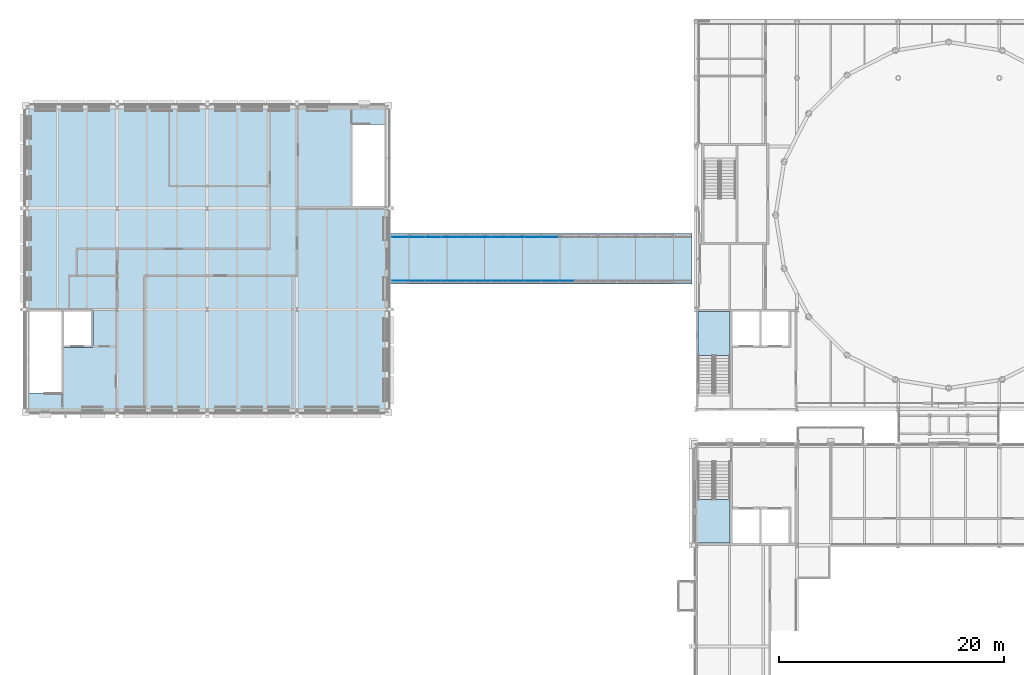
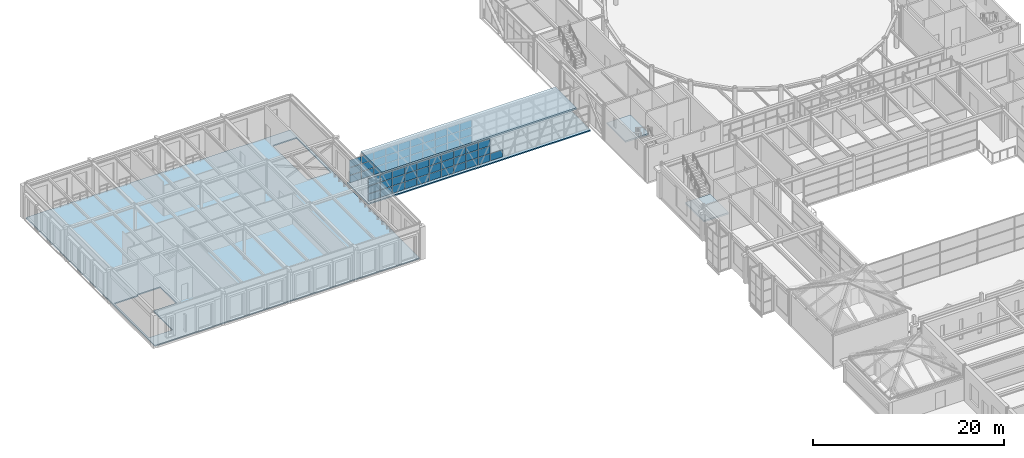
# One storey, part 79 of 149: 61 plates, 5 slabs, 4 elements without a shape of their own.
"""IFC4 building model written with IfcOpenShell, lengths in metres."""

from ifc_helpers import new_model, si_unit, direction, frame, origin, origin_2d, place, context, subcontext, project, spatial, polyline, rectangle, outline, extrude, material, layer, layer_set, type_object, element, aggregate, save


model = new_model("IFC4")

# Units and contexts
model_context = context("Model", 3, precision=1e-05, world=origin(), true_north=direction((0.0, 1.0)))
body_context = subcontext(model_context, "Body", "Model", "MODEL_VIEW")
ifc_project = project(units=[si_unit("LENGTHUNIT", "METRE"), si_unit("AREAUNIT", "SQUARE_METRE"), si_unit("VOLUMEUNIT", "CUBIC_METRE"), si_unit("PLANEANGLEUNIT", "RADIAN"), si_unit("MASSUNIT", "GRAM", prefix="KILO")], contexts=[model_context])

# Site, building, storey
site_placement = place(None, origin())
site = spatial("IfcSite", under=ifc_project, at=site_placement, CompositionType="ELEMENT")
building_placement = place(site_placement, origin())
building = spatial("IfcBuilding", under=site, at=building_placement, Name="Kallimachos Central Library", CompositionType="ELEMENT")
storey_placement = place(building_placement, frame((0.0, 0.0, 9.89990234375)))
storey = spatial("IfcBuildingStorey", under=building, at=storey_placement, Name="L02", CompositionType="ELEMENT", Elevation=9.89990234375)

# Slabs
ifc_material_1 = material(Name="Composite slab C30/37 on steel deck", Category="concrete")
ifc_layer_1 = layer(ifc_material_1, 0.14990234375)
ifc_layer_set_1 = layer_set([ifc_layer_1], Name="Bridge deck slab 150")
slab_type_1 = type_object("IfcSlabType", Name="Bridge deck slab 150", PredefinedType="FLOOR", material=ifc_layer_set_1)
slab_1_placement = place(storey_placement, frame((0.0, 0.0, -0.14990234375)))
element("IfcSlab", 1, at=slab_1_placement, inside=storey, type_object=slab_type_1, Name="B-W deck", PredefinedType="FLOOR", context=body_context, shape_type="SweptSolid", body=[
    extrude(outline(polyline([(38.300048828125, 98.25), (65.175048828125, 98.25), (65.175048828125, 102.75), (38.300048828125, 102.75), (38.300048828125, 98.25)])), origin(), (0.0, 0.0, 1.0), 0.14990234375),
])
ifc_material_2 = material(Name="Composite slab C30/37 on steel deck", Category="concrete")
ifc_layer_2 = layer(ifc_material_2, 0.199951171875)
ifc_layer_set_2 = layer_set([ifc_layer_2], Name="Bridge roof slab 200")
slab_type_2 = type_object("IfcSlabType", Name="Bridge roof slab 200", PredefinedType="ROOF", material=ifc_layer_set_2)
slab_2_placement = place(storey_placement, frame((0.0, 0.0, 3.2001953125)))
element("IfcSlab", 2, at=slab_2_placement, inside=storey, type_object=slab_type_2, Name="B-W roof", PredefinedType="ROOF", context=body_context, shape_type="SweptSolid", body=[
    extrude(outline(polyline([(39.979736328125, 98.300048828125), (63.495361328125, 98.300048828125), (63.495361328125, 102.699951171875), (39.979736328125, 102.699951171875), (39.979736328125, 98.300048828125)])), origin(), (0.0, 0.0, 1.0), 0.199951171875),
])
ifc_material_3 = material(Name="Composite slab C30/37 on steel deck", Category="concrete")
ifc_layer_3 = layer(ifc_material_3, 0.14990234375)
ifc_layer_set_3 = layer_set([ifc_layer_3], Name="Composite floor slab 150")
slab_type_3 = type_object("IfcSlabType", Name="Composite floor slab 150", PredefinedType="FLOOR", material=ifc_layer_set_3)
slab_3_placement = place(storey_placement, frame((0.0, 0.0, -0.14990234375)))
element("IfcSlab", 3, at=slab_3_placement, inside=storey, type_object=slab_type_3, Name="V2-SLB-L02-001", PredefinedType="FLOOR", context=body_context, shape_type="SweptSolid", body=[
    extrude(outline(polyline([(6.0, 114.0), (38.0, 114.0), (38.0, 87.0), (6.0, 87.0), (6.0, 114.0)]), holes=[polyline([(9.050048828125, 88.553955078125), (9.050048828125, 92.60009765625), (11.85009765625, 92.60009765625), (11.85009765625, 96.0), (9.050048828125, 96.0), (9.050048828125, 95.800048828125), (6.199951171875, 95.800048828125), (6.199951171875, 88.553955078125), (9.050048828125, 88.553955078125)]), polyline([(37.800048828125, 112.446044921875), (34.949951171875, 112.446044921875), (34.949951171875, 105.199951171875), (37.800048828125, 105.199951171875), (37.800048828125, 112.446044921875)])]), origin(), (0.0, 0.0, 1.0), 0.14990234375),
])

# Curtain wall, plates
ifc_material_4 = material(Name="Aluminium and laminated glass", Category="aluminium")
curtain_wall_type = type_object("IfcCurtainWallType", Name="Link glazed wall", PredefinedType="NOTDEFINED", material=ifc_material_4)
curtain_wall_1_placement = place(storey_placement, origin())
curtain_wall_1 = element("IfcCurtainWall", 4, at=curtain_wall_1_placement, inside=storey, type_object=curtain_wall_type, Name="V2 to V1 bridge glazed side", PredefinedType="NOTDEFINED")
ifc_material_5 = material(Name="Laminated glass", Category="glass")
ifc_layer_4 = layer(ifc_material_5, 0.028076171875)
ifc_layer_set_4 = layer_set([ifc_layer_4], Name="Laminated glass panel 28")
plate_type = type_object("IfcPlateType", Name="Laminated glass panel 28", PredefinedType="CURTAIN_PANEL", material=ifc_layer_set_4)
plate_1_placement = place(storey_placement, frame((39.156005859375, 98.550048828125, 0.06005859375), z_axis=(0.0, 0.0, 1.0), x_axis=(1.0, 0.0, 0.0)))
plate_1 = element("IfcPlate", 5, at=plate_1_placement, type_object=plate_type, Name="CW72 panel 1.1", PredefinedType="CURTAIN_PANEL", context=body_context, shape_type="SweptSolid", body=[
    extrude(rectangle(XDim=1.391845703125, YDim=0.028076171875, at=origin_2d()), origin(), (0.0, 0.0, 1.0), 0.909912109375),
])
plate_2_placement = place(storey_placement, frame((39.156005859375, 98.550048828125, 1.030029296875), z_axis=(0.0, 0.0, 1.0), x_axis=(1.0, 0.0, 0.0)))
plate_2 = element("IfcPlate", 6, at=plate_2_placement, type_object=plate_type, Name="CW72 panel 1.2", PredefinedType="CURTAIN_PANEL", context=body_context, shape_type="SweptSolid", body=[
    extrude(rectangle(XDim=1.391845703125, YDim=0.028076171875, at=origin_2d()), origin(), (0.0, 0.0, 1.0), 0.93994140625),
])
plate_3_placement = place(storey_placement, frame((39.156005859375, 98.550048828125, 2.0302734375), z_axis=(0.0, 0.0, 1.0), x_axis=(1.0, 0.0, 0.0)))
plate_3 = element("IfcPlate", 7, at=plate_3_placement, type_object=plate_type, Name="CW72 panel 1.3", PredefinedType="CURTAIN_PANEL", context=body_context, shape_type="SweptSolid", body=[
    extrude(rectangle(XDim=1.391845703125, YDim=0.028076171875, at=origin_2d()), origin(), (0.0, 0.0, 1.0), 0.909912109375),
])
plate_4_placement = place(storey_placement, frame((40.622802734375, 98.550048828125, 0.06005859375), z_axis=(0.0, 0.0, 1.0), x_axis=(1.0, 0.0, 0.0)))
plate_4 = element("IfcPlate", 8, at=plate_4_placement, type_object=plate_type, Name="CW72 panel 2.1", PredefinedType="CURTAIN_PANEL", context=body_context, shape_type="SweptSolid", body=[
    extrude(rectangle(XDim=1.421875, YDim=0.028076171875, at=origin_2d()), origin(), (0.0, 0.0, 1.0), 0.909912109375),
])
plate_5_placement = place(storey_placement, frame((40.622802734375, 98.550048828125, 1.030029296875), z_axis=(0.0, 0.0, 1.0), x_axis=(1.0, 0.0, 0.0)))
plate_5 = element("IfcPlate", 9, at=plate_5_placement, type_object=plate_type, Name="CW72 panel 2.2", PredefinedType="CURTAIN_PANEL", context=body_context, shape_type="SweptSolid", body=[
    extrude(rectangle(XDim=1.421875, YDim=0.028076171875, at=origin_2d()), origin(), (0.0, 0.0, 1.0), 0.93994140625),
])
plate_6_placement = place(storey_placement, frame((40.622802734375, 98.550048828125, 2.0302734375), z_axis=(0.0, 0.0, 1.0), x_axis=(1.0, 0.0, 0.0)))
plate_6 = element("IfcPlate", 10, at=plate_6_placement, type_object=plate_type, Name="CW72 panel 2.3", PredefinedType="CURTAIN_PANEL", context=body_context, shape_type="SweptSolid", body=[
    extrude(rectangle(XDim=1.421875, YDim=0.028076171875, at=origin_2d()), origin(), (0.0, 0.0, 1.0), 0.909912109375),
])
plate_7_placement = place(storey_placement, frame((42.10498046875, 98.550048828125, 0.06005859375), z_axis=(0.0, 0.0, 1.0), x_axis=(1.0, 0.0, 0.0)))
plate_7 = element("IfcPlate", 11, at=plate_7_placement, type_object=plate_type, Name="CW72 panel 3.1", PredefinedType="CURTAIN_PANEL", context=body_context, shape_type="SweptSolid", body=[
    extrude(rectangle(XDim=1.421875, YDim=0.028076171875, at=origin_2d()), origin(), (0.0, 0.0, 1.0), 0.909912109375),
])
plate_8_placement = place(storey_placement, frame((42.10498046875, 98.550048828125, 1.030029296875), z_axis=(0.0, 0.0, 1.0), x_axis=(1.0, 0.0, 0.0)))
plate_8 = element("IfcPlate", 12, at=plate_8_placement, type_object=plate_type, Name="CW72 panel 3.2", PredefinedType="CURTAIN_PANEL", context=body_context, shape_type="SweptSolid", body=[
    extrude(rectangle(XDim=1.421875, YDim=0.028076171875, at=origin_2d()), origin(), (0.0, 0.0, 1.0), 0.93994140625),
])
plate_9_placement = place(storey_placement, frame((42.10498046875, 98.550048828125, 2.0302734375), z_axis=(0.0, 0.0, 1.0), x_axis=(1.0, 0.0, 0.0)))
plate_9 = element("IfcPlate", 13, at=plate_9_placement, type_object=plate_type, Name="CW72 panel 3.3", PredefinedType="CURTAIN_PANEL", context=body_context, shape_type="SweptSolid", body=[
    extrude(rectangle(XDim=1.421875, YDim=0.028076171875, at=origin_2d()), origin(), (0.0, 0.0, 1.0), 0.909912109375),
])
plate_10_placement = place(storey_placement, frame((43.5869140625, 98.550048828125, 0.06005859375), z_axis=(0.0, 0.0, 1.0), x_axis=(1.0, 0.0, 0.0)))
plate_10 = element("IfcPlate", 14, at=plate_10_placement, type_object=plate_type, Name="CW72 panel 4.1", PredefinedType="CURTAIN_PANEL", context=body_context, shape_type="SweptSolid", body=[
    extrude(rectangle(XDim=1.421875, YDim=0.028076171875, at=origin_2d()), origin(), (0.0, 0.0, 1.0), 0.909912109375),
])
plate_11_placement = place(storey_placement, frame((43.5869140625, 98.550048828125, 1.030029296875), z_axis=(0.0, 0.0, 1.0), x_axis=(1.0, 0.0, 0.0)))
plate_11 = element("IfcPlate", 15, at=plate_11_placement, type_object=plate_type, Name="CW72 panel 4.2", PredefinedType="CURTAIN_PANEL", context=body_context, shape_type="SweptSolid", body=[
    extrude(rectangle(XDim=1.421875, YDim=0.028076171875, at=origin_2d()), origin(), (0.0, 0.0, 1.0), 0.93994140625),
])
plate_12_placement = place(storey_placement, frame((43.5869140625, 98.550048828125, 2.0302734375), z_axis=(0.0, 0.0, 1.0), x_axis=(1.0, 0.0, 0.0)))
plate_12 = element("IfcPlate", 16, at=plate_12_placement, type_object=plate_type, Name="CW72 panel 4.3", PredefinedType="CURTAIN_PANEL", context=body_context, shape_type="SweptSolid", body=[
    extrude(rectangle(XDim=1.421875, YDim=0.028076171875, at=origin_2d()), origin(), (0.0, 0.0, 1.0), 0.909912109375),
])
plate_13_placement = place(storey_placement, frame((45.06884765625, 98.550048828125, 0.06005859375), z_axis=(0.0, 0.0, 1.0), x_axis=(1.0, 0.0, 0.0)))
plate_13 = element("IfcPlate", 17, at=plate_13_placement, type_object=plate_type, Name="CW72 panel 5.1", PredefinedType="CURTAIN_PANEL", context=body_context, shape_type="SweptSolid", body=[
    extrude(rectangle(XDim=1.421875, YDim=0.028076171875, at=origin_2d()), origin(), (0.0, 0.0, 1.0), 0.909912109375),
])
plate_14_placement = place(storey_placement, frame((45.06884765625, 98.550048828125, 1.030029296875), z_axis=(0.0, 0.0, 1.0), x_axis=(1.0, 0.0, 0.0)))
plate_14 = element("IfcPlate", 18, at=plate_14_placement, type_object=plate_type, Name="CW72 panel 5.2", PredefinedType="CURTAIN_PANEL", context=body_context, shape_type="SweptSolid", body=[
    extrude(rectangle(XDim=1.421875, YDim=0.028076171875, at=origin_2d()), origin(), (0.0, 0.0, 1.0), 0.93994140625),
])
plate_15_placement = place(storey_placement, frame((45.06884765625, 98.550048828125, 2.0302734375), z_axis=(0.0, 0.0, 1.0), x_axis=(1.0, 0.0, 0.0)))
plate_15 = element("IfcPlate", 19, at=plate_15_placement, type_object=plate_type, Name="CW72 panel 5.3", PredefinedType="CURTAIN_PANEL", context=body_context, shape_type="SweptSolid", body=[
    extrude(rectangle(XDim=1.421875, YDim=0.028076171875, at=origin_2d()), origin(), (0.0, 0.0, 1.0), 0.909912109375),
])
plate_16_placement = place(storey_placement, frame((46.55078125, 98.550048828125, 0.06005859375), z_axis=(0.0, 0.0, 1.0), x_axis=(1.0, 0.0, 0.0)))
plate_16 = element("IfcPlate", 20, at=plate_16_placement, type_object=plate_type, Name="CW72 panel 6.1", PredefinedType="CURTAIN_PANEL", context=body_context, shape_type="SweptSolid", body=[
    extrude(rectangle(XDim=1.421875, YDim=0.028076171875, at=origin_2d()), origin(), (0.0, 0.0, 1.0), 0.909912109375),
])
plate_17_placement = place(storey_placement, frame((46.55078125, 98.550048828125, 1.030029296875), z_axis=(0.0, 0.0, 1.0), x_axis=(1.0, 0.0, 0.0)))
plate_17 = element("IfcPlate", 21, at=plate_17_placement, type_object=plate_type, Name="CW72 panel 6.2", PredefinedType="CURTAIN_PANEL", context=body_context, shape_type="SweptSolid", body=[
    extrude(rectangle(XDim=1.421875, YDim=0.028076171875, at=origin_2d()), origin(), (0.0, 0.0, 1.0), 0.93994140625),
])
plate_18_placement = place(storey_placement, frame((46.55078125, 98.550048828125, 2.0302734375), z_axis=(0.0, 0.0, 1.0), x_axis=(1.0, 0.0, 0.0)))
plate_18 = element("IfcPlate", 22, at=plate_18_placement, type_object=plate_type, Name="CW72 panel 6.3", PredefinedType="CURTAIN_PANEL", context=body_context, shape_type="SweptSolid", body=[
    extrude(rectangle(XDim=1.421875, YDim=0.028076171875, at=origin_2d()), origin(), (0.0, 0.0, 1.0), 0.909912109375),
])
plate_19_placement = place(storey_placement, frame((48.03271484375, 98.550048828125, 0.06005859375), z_axis=(0.0, 0.0, 1.0), x_axis=(1.0, 0.0, 0.0)))
plate_19 = element("IfcPlate", 23, at=plate_19_placement, type_object=plate_type, Name="CW72 panel 7.1", PredefinedType="CURTAIN_PANEL", context=body_context, shape_type="SweptSolid", body=[
    extrude(rectangle(XDim=1.421875, YDim=0.028076171875, at=origin_2d()), origin(), (0.0, 0.0, 1.0), 0.909912109375),
])
plate_20_placement = place(storey_placement, frame((48.03271484375, 98.550048828125, 1.030029296875), z_axis=(0.0, 0.0, 1.0), x_axis=(1.0, 0.0, 0.0)))
plate_20 = element("IfcPlate", 24, at=plate_20_placement, type_object=plate_type, Name="CW72 panel 7.2", PredefinedType="CURTAIN_PANEL", context=body_context, shape_type="SweptSolid", body=[
    extrude(rectangle(XDim=1.421875, YDim=0.028076171875, at=origin_2d()), origin(), (0.0, 0.0, 1.0), 0.93994140625),
])
plate_21_placement = place(storey_placement, frame((48.03271484375, 98.550048828125, 2.0302734375), z_axis=(0.0, 0.0, 1.0), x_axis=(1.0, 0.0, 0.0)))
plate_21 = element("IfcPlate", 25, at=plate_21_placement, type_object=plate_type, Name="CW72 panel 7.3", PredefinedType="CURTAIN_PANEL", context=body_context, shape_type="SweptSolid", body=[
    extrude(rectangle(XDim=1.421875, YDim=0.028076171875, at=origin_2d()), origin(), (0.0, 0.0, 1.0), 0.909912109375),
])
plate_22_placement = place(storey_placement, frame((49.5146484375, 98.550048828125, 0.06005859375), z_axis=(0.0, 0.0, 1.0), x_axis=(1.0, 0.0, 0.0)))
plate_22 = element("IfcPlate", 26, at=plate_22_placement, type_object=plate_type, Name="CW72 panel 8.1", PredefinedType="CURTAIN_PANEL", context=body_context, shape_type="SweptSolid", body=[
    extrude(rectangle(XDim=1.421875, YDim=0.028076171875, at=origin_2d()), origin(), (0.0, 0.0, 1.0), 0.909912109375),
])
plate_23_placement = place(storey_placement, frame((49.5146484375, 98.550048828125, 1.030029296875), z_axis=(0.0, 0.0, 1.0), x_axis=(1.0, 0.0, 0.0)))
plate_23 = element("IfcPlate", 27, at=plate_23_placement, type_object=plate_type, Name="CW72 panel 8.2", PredefinedType="CURTAIN_PANEL", context=body_context, shape_type="SweptSolid", body=[
    extrude(rectangle(XDim=1.421875, YDim=0.028076171875, at=origin_2d()), origin(), (0.0, 0.0, 1.0), 0.93994140625),
])
plate_24_placement = place(storey_placement, frame((49.5146484375, 98.550048828125, 2.0302734375), z_axis=(0.0, 0.0, 1.0), x_axis=(1.0, 0.0, 0.0)))
plate_24 = element("IfcPlate", 28, at=plate_24_placement, type_object=plate_type, Name="CW72 panel 8.3", PredefinedType="CURTAIN_PANEL", context=body_context, shape_type="SweptSolid", body=[
    extrude(rectangle(XDim=1.421875, YDim=0.028076171875, at=origin_2d()), origin(), (0.0, 0.0, 1.0), 0.909912109375),
])
plate_25_placement = place(storey_placement, frame((50.99658203125, 98.550048828125, 0.06005859375), z_axis=(0.0, 0.0, 1.0), x_axis=(1.0, 0.0, 0.0)))
plate_25 = element("IfcPlate", 29, at=plate_25_placement, type_object=plate_type, Name="CW72 panel 9.1", PredefinedType="CURTAIN_PANEL", context=body_context, shape_type="SweptSolid", body=[
    extrude(rectangle(XDim=1.421875, YDim=0.028076171875, at=origin_2d()), origin(), (0.0, 0.0, 1.0), 0.909912109375),
])
plate_26_placement = place(storey_placement, frame((50.99658203125, 98.550048828125, 1.030029296875), z_axis=(0.0, 0.0, 1.0), x_axis=(1.0, 0.0, 0.0)))
plate_26 = element("IfcPlate", 30, at=plate_26_placement, type_object=plate_type, Name="CW72 panel 9.2", PredefinedType="CURTAIN_PANEL", context=body_context, shape_type="SweptSolid", body=[
    extrude(rectangle(XDim=1.421875, YDim=0.028076171875, at=origin_2d()), origin(), (0.0, 0.0, 1.0), 0.93994140625),
])
plate_27_placement = place(storey_placement, frame((50.99658203125, 98.550048828125, 2.0302734375), z_axis=(0.0, 0.0, 1.0), x_axis=(1.0, 0.0, 0.0)))
plate_27 = element("IfcPlate", 31, at=plate_27_placement, type_object=plate_type, Name="CW72 panel 9.3", PredefinedType="CURTAIN_PANEL", context=body_context, shape_type="SweptSolid", body=[
    extrude(rectangle(XDim=1.421875, YDim=0.028076171875, at=origin_2d()), origin(), (0.0, 0.0, 1.0), 0.909912109375),
])
plate_28_placement = place(storey_placement, frame((52.478515625, 98.550048828125, 0.06005859375), z_axis=(0.0, 0.0, 1.0), x_axis=(1.0, 0.0, 0.0)))
plate_28 = element("IfcPlate", 32, at=plate_28_placement, type_object=plate_type, Name="CW72 panel 10.1", PredefinedType="CURTAIN_PANEL", context=body_context, shape_type="SweptSolid", body=[
    extrude(rectangle(XDim=1.421875, YDim=0.028076171875, at=origin_2d()), origin(), (0.0, 0.0, 1.0), 0.909912109375),
])
plate_29_placement = place(storey_placement, frame((52.478515625, 98.550048828125, 1.030029296875), z_axis=(0.0, 0.0, 1.0), x_axis=(1.0, 0.0, 0.0)))
plate_29 = element("IfcPlate", 33, at=plate_29_placement, type_object=plate_type, Name="CW72 panel 10.2", PredefinedType="CURTAIN_PANEL", context=body_context, shape_type="SweptSolid", body=[
    extrude(rectangle(XDim=1.421875, YDim=0.028076171875, at=origin_2d()), origin(), (0.0, 0.0, 1.0), 0.93994140625),
])
plate_30_placement = place(storey_placement, frame((52.478515625, 98.550048828125, 2.0302734375), z_axis=(0.0, 0.0, 1.0), x_axis=(1.0, 0.0, 0.0)))
plate_30 = element("IfcPlate", 34, at=plate_30_placement, type_object=plate_type, Name="CW72 panel 10.3", PredefinedType="CURTAIN_PANEL", context=body_context, shape_type="SweptSolid", body=[
    extrude(rectangle(XDim=1.421875, YDim=0.028076171875, at=origin_2d()), origin(), (0.0, 0.0, 1.0), 0.909912109375),
])
plate_31_placement = place(storey_placement, frame((53.96044921875, 98.550048828125, 0.06005859375), z_axis=(0.0, 0.0, 1.0), x_axis=(1.0, 0.0, 0.0)))
plate_31 = element("IfcPlate", 35, at=plate_31_placement, type_object=plate_type, Name="CW72 panel 11.1", PredefinedType="CURTAIN_PANEL", context=body_context, shape_type="SweptSolid", body=[
    extrude(rectangle(XDim=1.421875, YDim=0.028076171875, at=origin_2d()), origin(), (0.0, 0.0, 1.0), 0.909912109375),
])
aggregate(curtain_wall_1, [plate_1, plate_2, plate_3, plate_4, plate_5, plate_6, plate_7, plate_8, plate_9, plate_10, plate_11, plate_12, plate_13, plate_14, plate_15, plate_16, plate_17, plate_18, plate_19, plate_20, plate_21, plate_22, plate_23, plate_24, plate_25, plate_26, plate_27, plate_28, plate_29, plate_30, plate_31])

curtain_wall_2_placement = place(storey_placement, origin())
curtain_wall_2 = element("IfcCurtainWall", 36, at=curtain_wall_2_placement, inside=storey, type_object=curtain_wall_type, Name="V2 to V1 bridge glazed side", PredefinedType="NOTDEFINED")
plate_32_placement = place(storey_placement, frame((39.156005859375, 102.449951171875, 0.06005859375), z_axis=(0.0, 0.0, 1.0), x_axis=(1.0, 0.0, 0.0)))
plate_32 = element("IfcPlate", 37, at=plate_32_placement, type_object=plate_type, Name="CW73 panel 1.1", PredefinedType="CURTAIN_PANEL", context=body_context, shape_type="SweptSolid", body=[
    extrude(rectangle(XDim=1.391845703125, YDim=0.028076171875, at=origin_2d()), origin(), (0.0, 0.0, 1.0), 0.909912109375),
])
plate_33_placement = place(storey_placement, frame((39.156005859375, 102.449951171875, 1.030029296875), z_axis=(0.0, 0.0, 1.0), x_axis=(1.0, 0.0, 0.0)))
plate_33 = element("IfcPlate", 38, at=plate_33_placement, type_object=plate_type, Name="CW73 panel 1.2", PredefinedType="CURTAIN_PANEL", context=body_context, shape_type="SweptSolid", body=[
    extrude(rectangle(XDim=1.391845703125, YDim=0.028076171875, at=origin_2d()), origin(), (0.0, 0.0, 1.0), 0.93994140625),
])
plate_34_placement = place(storey_placement, frame((39.156005859375, 102.449951171875, 2.0302734375), z_axis=(0.0, 0.0, 1.0), x_axis=(1.0, 0.0, 0.0)))
plate_34 = element("IfcPlate", 39, at=plate_34_placement, type_object=plate_type, Name="CW73 panel 1.3", PredefinedType="CURTAIN_PANEL", context=body_context, shape_type="SweptSolid", body=[
    extrude(rectangle(XDim=1.391845703125, YDim=0.028076171875, at=origin_2d()), origin(), (0.0, 0.0, 1.0), 0.909912109375),
])
plate_35_placement = place(storey_placement, frame((40.622802734375, 102.449951171875, 0.06005859375), z_axis=(0.0, 0.0, 1.0), x_axis=(1.0, 0.0, 0.0)))
plate_35 = element("IfcPlate", 40, at=plate_35_placement, type_object=plate_type, Name="CW73 panel 2.1", PredefinedType="CURTAIN_PANEL", context=body_context, shape_type="SweptSolid", body=[
    extrude(rectangle(XDim=1.421875, YDim=0.028076171875, at=origin_2d()), origin(), (0.0, 0.0, 1.0), 0.909912109375),
])
plate_36_placement = place(storey_placement, frame((40.622802734375, 102.449951171875, 1.030029296875), z_axis=(0.0, 0.0, 1.0), x_axis=(1.0, 0.0, 0.0)))
plate_36 = element("IfcPlate", 41, at=plate_36_placement, type_object=plate_type, Name="CW73 panel 2.2", PredefinedType="CURTAIN_PANEL", context=body_context, shape_type="SweptSolid", body=[
    extrude(rectangle(XDim=1.421875, YDim=0.028076171875, at=origin_2d()), origin(), (0.0, 0.0, 1.0), 0.93994140625),
])
plate_37_placement = place(storey_placement, frame((40.622802734375, 102.449951171875, 2.0302734375), z_axis=(0.0, 0.0, 1.0), x_axis=(1.0, 0.0, 0.0)))
plate_37 = element("IfcPlate", 42, at=plate_37_placement, type_object=plate_type, Name="CW73 panel 2.3", PredefinedType="CURTAIN_PANEL", context=body_context, shape_type="SweptSolid", body=[
    extrude(rectangle(XDim=1.421875, YDim=0.028076171875, at=origin_2d()), origin(), (0.0, 0.0, 1.0), 0.909912109375),
])
plate_38_placement = place(storey_placement, frame((42.10498046875, 102.449951171875, 0.06005859375), z_axis=(0.0, 0.0, 1.0), x_axis=(1.0, 0.0, 0.0)))
plate_38 = element("IfcPlate", 43, at=plate_38_placement, type_object=plate_type, Name="CW73 panel 3.1", PredefinedType="CURTAIN_PANEL", context=body_context, shape_type="SweptSolid", body=[
    extrude(rectangle(XDim=1.421875, YDim=0.028076171875, at=origin_2d()), origin(), (0.0, 0.0, 1.0), 0.909912109375),
])
plate_39_placement = place(storey_placement, frame((42.10498046875, 102.449951171875, 1.030029296875), z_axis=(0.0, 0.0, 1.0), x_axis=(1.0, 0.0, 0.0)))
plate_39 = element("IfcPlate", 44, at=plate_39_placement, type_object=plate_type, Name="CW73 panel 3.2", PredefinedType="CURTAIN_PANEL", context=body_context, shape_type="SweptSolid", body=[
    extrude(rectangle(XDim=1.421875, YDim=0.028076171875, at=origin_2d()), origin(), (0.0, 0.0, 1.0), 0.93994140625),
])
plate_40_placement = place(storey_placement, frame((42.10498046875, 102.449951171875, 2.0302734375), z_axis=(0.0, 0.0, 1.0), x_axis=(1.0, 0.0, 0.0)))
plate_40 = element("IfcPlate", 45, at=plate_40_placement, type_object=plate_type, Name="CW73 panel 3.3", PredefinedType="CURTAIN_PANEL", context=body_context, shape_type="SweptSolid", body=[
    extrude(rectangle(XDim=1.421875, YDim=0.028076171875, at=origin_2d()), origin(), (0.0, 0.0, 1.0), 0.909912109375),
])
plate_41_placement = place(storey_placement, frame((43.5869140625, 102.449951171875, 0.06005859375), z_axis=(0.0, 0.0, 1.0), x_axis=(1.0, 0.0, 0.0)))
plate_41 = element("IfcPlate", 46, at=plate_41_placement, type_object=plate_type, Name="CW73 panel 4.1", PredefinedType="CURTAIN_PANEL", context=body_context, shape_type="SweptSolid", body=[
    extrude(rectangle(XDim=1.421875, YDim=0.028076171875, at=origin_2d()), origin(), (0.0, 0.0, 1.0), 0.909912109375),
])
plate_42_placement = place(storey_placement, frame((43.5869140625, 102.449951171875, 1.030029296875), z_axis=(0.0, 0.0, 1.0), x_axis=(1.0, 0.0, 0.0)))
plate_42 = element("IfcPlate", 47, at=plate_42_placement, type_object=plate_type, Name="CW73 panel 4.2", PredefinedType="CURTAIN_PANEL", context=body_context, shape_type="SweptSolid", body=[
    extrude(rectangle(XDim=1.421875, YDim=0.028076171875, at=origin_2d()), origin(), (0.0, 0.0, 1.0), 0.93994140625),
])
plate_43_placement = place(storey_placement, frame((43.5869140625, 102.449951171875, 2.0302734375), z_axis=(0.0, 0.0, 1.0), x_axis=(1.0, 0.0, 0.0)))
plate_43 = element("IfcPlate", 48, at=plate_43_placement, type_object=plate_type, Name="CW73 panel 4.3", PredefinedType="CURTAIN_PANEL", context=body_context, shape_type="SweptSolid", body=[
    extrude(rectangle(XDim=1.421875, YDim=0.028076171875, at=origin_2d()), origin(), (0.0, 0.0, 1.0), 0.909912109375),
])
plate_44_placement = place(storey_placement, frame((45.06884765625, 102.449951171875, 0.06005859375), z_axis=(0.0, 0.0, 1.0), x_axis=(1.0, 0.0, 0.0)))
plate_44 = element("IfcPlate", 49, at=plate_44_placement, type_object=plate_type, Name="CW73 panel 5.1", PredefinedType="CURTAIN_PANEL", context=body_context, shape_type="SweptSolid", body=[
    extrude(rectangle(XDim=1.421875, YDim=0.028076171875, at=origin_2d()), origin(), (0.0, 0.0, 1.0), 0.909912109375),
])
plate_45_placement = place(storey_placement, frame((45.06884765625, 102.449951171875, 1.030029296875), z_axis=(0.0, 0.0, 1.0), x_axis=(1.0, 0.0, 0.0)))
plate_45 = element("IfcPlate", 50, at=plate_45_placement, type_object=plate_type, Name="CW73 panel 5.2", PredefinedType="CURTAIN_PANEL", context=body_context, shape_type="SweptSolid", body=[
    extrude(rectangle(XDim=1.421875, YDim=0.028076171875, at=origin_2d()), origin(), (0.0, 0.0, 1.0), 0.93994140625),
])
plate_46_placement = place(storey_placement, frame((45.06884765625, 102.449951171875, 2.0302734375), z_axis=(0.0, 0.0, 1.0), x_axis=(1.0, 0.0, 0.0)))
plate_46 = element("IfcPlate", 51, at=plate_46_placement, type_object=plate_type, Name="CW73 panel 5.3", PredefinedType="CURTAIN_PANEL", context=body_context, shape_type="SweptSolid", body=[
    extrude(rectangle(XDim=1.421875, YDim=0.028076171875, at=origin_2d()), origin(), (0.0, 0.0, 1.0), 0.909912109375),
])
plate_47_placement = place(storey_placement, frame((46.55078125, 102.449951171875, 0.06005859375), z_axis=(0.0, 0.0, 1.0), x_axis=(1.0, 0.0, 0.0)))
plate_47 = element("IfcPlate", 52, at=plate_47_placement, type_object=plate_type, Name="CW73 panel 6.1", PredefinedType="CURTAIN_PANEL", context=body_context, shape_type="SweptSolid", body=[
    extrude(rectangle(XDim=1.421875, YDim=0.028076171875, at=origin_2d()), origin(), (0.0, 0.0, 1.0), 0.909912109375),
])
plate_48_placement = place(storey_placement, frame((46.55078125, 102.449951171875, 1.030029296875), z_axis=(0.0, 0.0, 1.0), x_axis=(1.0, 0.0, 0.0)))
plate_48 = element("IfcPlate", 53, at=plate_48_placement, type_object=plate_type, Name="CW73 panel 6.2", PredefinedType="CURTAIN_PANEL", context=body_context, shape_type="SweptSolid", body=[
    extrude(rectangle(XDim=1.421875, YDim=0.028076171875, at=origin_2d()), origin(), (0.0, 0.0, 1.0), 0.93994140625),
])
plate_49_placement = place(storey_placement, frame((46.55078125, 102.449951171875, 2.0302734375), z_axis=(0.0, 0.0, 1.0), x_axis=(1.0, 0.0, 0.0)))
plate_49 = element("IfcPlate", 54, at=plate_49_placement, type_object=plate_type, Name="CW73 panel 6.3", PredefinedType="CURTAIN_PANEL", context=body_context, shape_type="SweptSolid", body=[
    extrude(rectangle(XDim=1.421875, YDim=0.028076171875, at=origin_2d()), origin(), (0.0, 0.0, 1.0), 0.909912109375),
])
plate_50_placement = place(storey_placement, frame((48.03271484375, 102.449951171875, 0.06005859375), z_axis=(0.0, 0.0, 1.0), x_axis=(1.0, 0.0, 0.0)))
plate_50 = element("IfcPlate", 55, at=plate_50_placement, type_object=plate_type, Name="CW73 panel 7.1", PredefinedType="CURTAIN_PANEL", context=body_context, shape_type="SweptSolid", body=[
    extrude(rectangle(XDim=1.421875, YDim=0.028076171875, at=origin_2d()), origin(), (0.0, 0.0, 1.0), 0.909912109375),
])
plate_51_placement = place(storey_placement, frame((48.03271484375, 102.449951171875, 1.030029296875), z_axis=(0.0, 0.0, 1.0), x_axis=(1.0, 0.0, 0.0)))
plate_51 = element("IfcPlate", 56, at=plate_51_placement, type_object=plate_type, Name="CW73 panel 7.2", PredefinedType="CURTAIN_PANEL", context=body_context, shape_type="SweptSolid", body=[
    extrude(rectangle(XDim=1.421875, YDim=0.028076171875, at=origin_2d()), origin(), (0.0, 0.0, 1.0), 0.93994140625),
])
plate_52_placement = place(storey_placement, frame((48.03271484375, 102.449951171875, 2.0302734375), z_axis=(0.0, 0.0, 1.0), x_axis=(1.0, 0.0, 0.0)))
plate_52 = element("IfcPlate", 57, at=plate_52_placement, type_object=plate_type, Name="CW73 panel 7.3", PredefinedType="CURTAIN_PANEL", context=body_context, shape_type="SweptSolid", body=[
    extrude(rectangle(XDim=1.421875, YDim=0.028076171875, at=origin_2d()), origin(), (0.0, 0.0, 1.0), 0.909912109375),
])
plate_53_placement = place(storey_placement, frame((49.5146484375, 102.449951171875, 0.06005859375), z_axis=(0.0, 0.0, 1.0), x_axis=(1.0, 0.0, 0.0)))
plate_53 = element("IfcPlate", 58, at=plate_53_placement, type_object=plate_type, Name="CW73 panel 8.1", PredefinedType="CURTAIN_PANEL", context=body_context, shape_type="SweptSolid", body=[
    extrude(rectangle(XDim=1.421875, YDim=0.028076171875, at=origin_2d()), origin(), (0.0, 0.0, 1.0), 0.909912109375),
])
plate_54_placement = place(storey_placement, frame((49.5146484375, 102.449951171875, 1.030029296875), z_axis=(0.0, 0.0, 1.0), x_axis=(1.0, 0.0, 0.0)))
plate_54 = element("IfcPlate", 59, at=plate_54_placement, type_object=plate_type, Name="CW73 panel 8.2", PredefinedType="CURTAIN_PANEL", context=body_context, shape_type="SweptSolid", body=[
    extrude(rectangle(XDim=1.421875, YDim=0.028076171875, at=origin_2d()), origin(), (0.0, 0.0, 1.0), 0.93994140625),
])
plate_55_placement = place(storey_placement, frame((49.5146484375, 102.449951171875, 2.0302734375), z_axis=(0.0, 0.0, 1.0), x_axis=(1.0, 0.0, 0.0)))
plate_55 = element("IfcPlate", 60, at=plate_55_placement, type_object=plate_type, Name="CW73 panel 8.3", PredefinedType="CURTAIN_PANEL", context=body_context, shape_type="SweptSolid", body=[
    extrude(rectangle(XDim=1.421875, YDim=0.028076171875, at=origin_2d()), origin(), (0.0, 0.0, 1.0), 0.909912109375),
])
plate_56_placement = place(storey_placement, frame((50.99658203125, 102.449951171875, 0.06005859375), z_axis=(0.0, 0.0, 1.0), x_axis=(1.0, 0.0, 0.0)))
plate_56 = element("IfcPlate", 61, at=plate_56_placement, type_object=plate_type, Name="CW73 panel 9.1", PredefinedType="CURTAIN_PANEL", context=body_context, shape_type="SweptSolid", body=[
    extrude(rectangle(XDim=1.421875, YDim=0.028076171875, at=origin_2d()), origin(), (0.0, 0.0, 1.0), 0.909912109375),
])
plate_57_placement = place(storey_placement, frame((50.99658203125, 102.449951171875, 1.030029296875), z_axis=(0.0, 0.0, 1.0), x_axis=(1.0, 0.0, 0.0)))
plate_57 = element("IfcPlate", 62, at=plate_57_placement, type_object=plate_type, Name="CW73 panel 9.2", PredefinedType="CURTAIN_PANEL", context=body_context, shape_type="SweptSolid", body=[
    extrude(rectangle(XDim=1.421875, YDim=0.028076171875, at=origin_2d()), origin(), (0.0, 0.0, 1.0), 0.93994140625),
])
plate_58_placement = place(storey_placement, frame((50.99658203125, 102.449951171875, 2.0302734375), z_axis=(0.0, 0.0, 1.0), x_axis=(1.0, 0.0, 0.0)))
plate_58 = element("IfcPlate", 63, at=plate_58_placement, type_object=plate_type, Name="CW73 panel 9.3", PredefinedType="CURTAIN_PANEL", context=body_context, shape_type="SweptSolid", body=[
    extrude(rectangle(XDim=1.421875, YDim=0.028076171875, at=origin_2d()), origin(), (0.0, 0.0, 1.0), 0.909912109375),
])
plate_59_placement = place(storey_placement, frame((52.478515625, 102.449951171875, 0.06005859375), z_axis=(0.0, 0.0, 1.0), x_axis=(1.0, 0.0, 0.0)))
plate_59 = element("IfcPlate", 64, at=plate_59_placement, type_object=plate_type, Name="CW73 panel 10.1", PredefinedType="CURTAIN_PANEL", context=body_context, shape_type="SweptSolid", body=[
    extrude(rectangle(XDim=1.421875, YDim=0.028076171875, at=origin_2d()), origin(), (0.0, 0.0, 1.0), 0.909912109375),
])
plate_60_placement = place(storey_placement, frame((52.478515625, 102.449951171875, 1.030029296875), z_axis=(0.0, 0.0, 1.0), x_axis=(1.0, 0.0, 0.0)))
plate_60 = element("IfcPlate", 65, at=plate_60_placement, type_object=plate_type, Name="CW73 panel 10.2", PredefinedType="CURTAIN_PANEL", context=body_context, shape_type="SweptSolid", body=[
    extrude(rectangle(XDim=1.421875, YDim=0.028076171875, at=origin_2d()), origin(), (0.0, 0.0, 1.0), 0.93994140625),
])
plate_61_placement = place(storey_placement, frame((52.478515625, 102.449951171875, 2.0302734375), z_axis=(0.0, 0.0, 1.0), x_axis=(1.0, 0.0, 0.0)))
plate_61 = element("IfcPlate", 66, at=plate_61_placement, type_object=plate_type, Name="CW73 panel 10.3", PredefinedType="CURTAIN_PANEL", context=body_context, shape_type="SweptSolid", body=[
    extrude(rectangle(XDim=1.421875, YDim=0.028076171875, at=origin_2d()), origin(), (0.0, 0.0, 1.0), 0.909912109375),
])
aggregate(curtain_wall_2, [plate_32, plate_33, plate_34, plate_35, plate_36, plate_37, plate_38, plate_39, plate_40, plate_41, plate_42, plate_43, plate_44, plate_45, plate_46, plate_47, plate_48, plate_49, plate_50, plate_51, plate_52, plate_53, plate_54, plate_55, plate_56, plate_57, plate_58, plate_59, plate_60, plate_61])

# Stair, slab
ifc_material_6 = material(Name="Concrete C30/37", Category="concrete")
stair_type_1 = type_object("IfcStairType", Name="Escape stair", PredefinedType="HALF_TURN_STAIR", material=ifc_material_6)
stair_1_placement = place(storey_placement, origin())
stair_1 = element("IfcStair", 67, at=stair_1_placement, inside=storey, type_object=stair_type_1, Name="L02 stair ST9", PredefinedType="HALF_TURN_STAIR")
ifc_material_7 = material(Name="Concrete C30/37", Category="concrete")
ifc_layer_5 = layer(ifc_material_7, 0.199951171875)
ifc_layer_set_5 = layer_set([ifc_layer_5], Name="Stair landing")
slab_type_4 = type_object("IfcSlabType", Name="Stair landing", PredefinedType="LANDING", material=ifc_layer_set_5)
slab_4_placement = place(storey_placement, frame((0.0, 0.0, 2.050048828125)))
slab_4 = element("IfcSlab", 68, at=slab_4_placement, type_object=slab_type_4, Name="ST9 landing 1", PredefinedType="LANDING", context=body_context, shape_type="SweptSolid", body=[
    extrude(outline(polyline([(65.54638671875, 75.199951171875), (68.550048828125, 75.199951171875), (68.550048828125, 79.090087890625), (65.54638671875, 79.090087890625), (65.54638671875, 75.199951171875)])), origin(), (0.0, 0.0, 1.0), 0.199951171875),
])
aggregate(stair_1, [slab_4])

ifc_material_8 = material(Name="Steel S355J2", Category="steel")
stair_type_2 = type_object("IfcStairType", Name="Steel half-turn stair 1350", PredefinedType="HALF_TURN_STAIR", material=ifc_material_8)
stair_2_placement = place(storey_placement, origin())
stair_2 = element("IfcStair", 69, at=stair_2_placement, inside=storey, type_object=stair_type_2, Name="L02 stair ST1", PredefinedType="HALF_TURN_STAIR")
ifc_material_9 = material(Name="Concrete C30/37", Category="concrete")
ifc_layer_6 = layer(ifc_material_9, 0.199951171875)
ifc_layer_set_6 = layer_set([ifc_layer_6], Name="Stair landing slab 200")
slab_type_5 = type_object("IfcSlabType", Name="Stair landing slab 200", PredefinedType="LANDING", material=ifc_layer_set_6)
slab_5_placement = place(storey_placement, frame((0.0, 0.0, 2.050048828125)))
slab_5 = element("IfcSlab", 70, at=slab_5_placement, type_object=slab_type_5, Name="ST1 landing 1", PredefinedType="LANDING", context=body_context, shape_type="SweptSolid", body=[
    extrude(outline(polyline([(68.550048828125, 91.909912109375), (68.550048828125, 95.800048828125), (65.699951171875, 95.800048828125), (65.699951171875, 91.909912109375), (68.550048828125, 91.909912109375)])), origin(), (0.0, 0.0, 1.0), 0.199951171875),
])
aggregate(stair_2, [slab_5])

save(model, "model.ifc")
